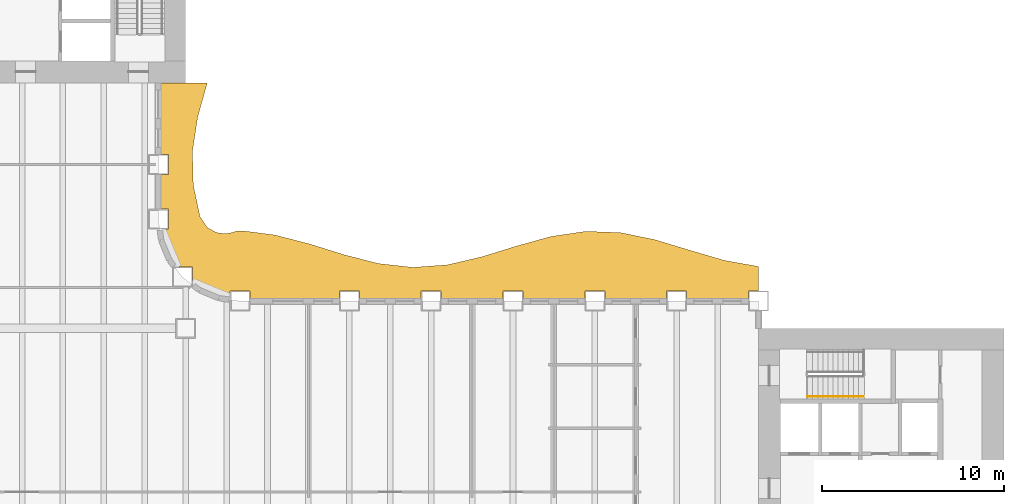
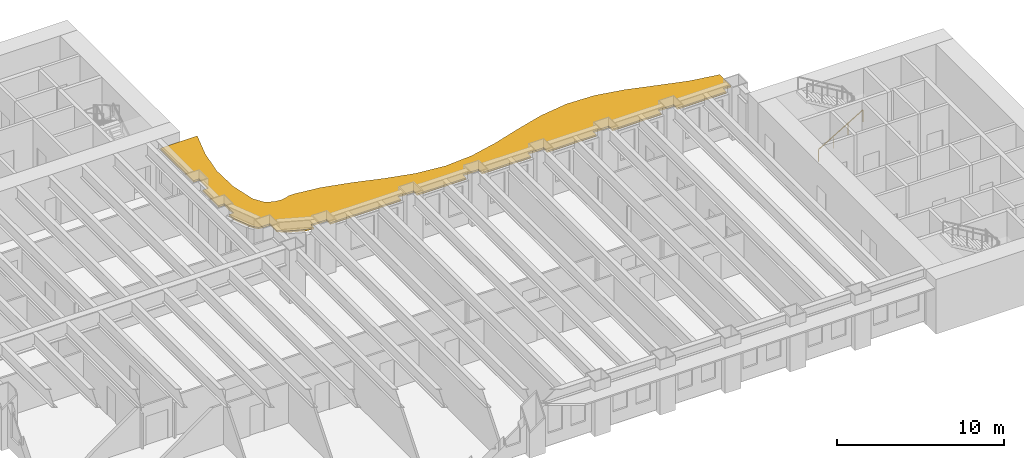
# One storey, part 14 of 16: 1 railing, 1 shading device.
"""IFC4 building model written with IfcOpenShell, lengths in metres."""

from ifc_helpers import new_model, si_unit, direction, frame, origin, origin_2d, place, context, subcontext, project, spatial, polyline, rectangle, outline, extrude, material, layer, layer_set, type_object, element, save


model = new_model("IFC4")

# Units and contexts
model_context = context("Model", 3, precision=1e-05, world=origin(), true_north=direction((0.0, 1.0)))
body_context = subcontext(model_context, "Body", "Model", "MODEL_VIEW")
ifc_project = project(units=[si_unit("LENGTHUNIT", "METRE"), si_unit("AREAUNIT", "SQUARE_METRE"), si_unit("VOLUMEUNIT", "CUBIC_METRE"), si_unit("PLANEANGLEUNIT", "RADIAN"), si_unit("MASSUNIT", "GRAM", prefix="KILO")], contexts=[model_context])

# Site, building, storey
site_placement = place(None, origin())
site = spatial("IfcSite", under=ifc_project, at=site_placement, CompositionType="ELEMENT")
building_placement = place(site_placement, origin())
building = spatial("IfcBuilding", under=site, at=building_placement, Name="Sennacour Bend Tower", CompositionType="ELEMENT")
storey_placement = place(building_placement, frame((0.0, 0.0, 45.0)))
storey = spatial("IfcBuildingStorey", under=building, at=storey_placement, Name="L09", CompositionType="ELEMENT", Elevation=45.0)

# Railing
ifc_material_1 = material(Name="Stainless steel", Category="steel")
railing_type = type_object("IfcRailingType", Name="RL-HANDRAIL-900", PredefinedType="HANDRAIL", material=ifc_material_1)
railing_placement = place(storey_placement, frame((56.699951171875, 18.75, 0.166748046875)))
element("IfcRailing", 1, at=railing_placement, inside=storey, type_object=railing_type, Name="L09 SA2 stair handrail 1", PredefinedType="HANDRAIL", context=body_context, shape_type="SweptSolid", body=[
    extrude(rectangle(XDim=0.048095703125, YDim=0.048095703125, at=origin_2d()), frame((0.0, 0.0, 0.8759765625), z_axis=(0.859308565015, 0.0, 0.511457515432), x_axis=(0.0, 1.0, 0.0)), (0.0, 0.0, 1.0), 3.58447265625),
    extrude(rectangle(XDim=0.0419921875, YDim=0.0419921875, at=origin_2d()), origin(), (0.0, 0.0, 1.0), 0.851806640625),
    extrude(rectangle(XDim=0.0419921875, YDim=0.0419921875, at=origin_2d()), frame((1.026611328125, 0.0, 0.611083984375)), (0.0, 0.0, 1.0), 0.851806640625),
    extrude(rectangle(XDim=0.0419921875, YDim=0.0419921875, at=origin_2d()), frame((2.053466796875, 0.0, 1.22216796875)), (0.0, 0.0, 1.0), 0.851806640625),
    extrude(rectangle(XDim=0.0419921875, YDim=0.0419921875, at=origin_2d()), frame((3.080078125, 0.0, 1.833251953125)), (0.0, 0.0, 1.0), 0.851806640625),
])

# Shading device
ifc_material_2 = material(Name="Bronze anodised aluminium", Category="aluminium")
ifc_layer = layer(ifc_material_2, 0.1201171875, Name="Bronze anodised aluminium", Category="aluminium")
ifc_layer_set = layer_set([ifc_layer], Name="Bronze anodised aluminium")
shading_device_type = type_object("IfcShadingDeviceType", Name="SUNSHADE BAND WAVE", PredefinedType="USERDEFINED", material=ifc_layer_set)
shading_device_placement = place(storey_placement, frame((0.0, 0.0, 3.02392578125)))
element("IfcShadingDevice", 2, at=shading_device_placement, inside=storey, type_object=shading_device_type, Name="Sunshade band L09 concave faces", ObjectType="SUNSHADE", PredefinedType="USERDEFINED", context=body_context, shape_type="SweptSolid", body=[
    extrude(outline(polyline([(53.449951171875, 24.14990234375), (50.050048828125, 24.14990234375), (50.050048828125, 24.550048828125), (48.949951171875, 24.550048828125), (48.949951171875, 24.14990234375), (45.550048828125, 24.14990234375), (45.550048828125, 24.550048828125), (44.449951171875, 24.550048828125), (44.449951171875, 24.14990234375), (41.050048828125, 24.14990234375), (41.050048828125, 24.550048828125), (39.949951171875, 24.550048828125), (39.949951171875, 24.14990234375), (36.550048828125, 24.14990234375), (36.550048828125, 24.550048828125), (35.449951171875, 24.550048828125), (35.449951171875, 24.14990234375), (32.050048828125, 24.14990234375), (32.050048828125, 24.550048828125), (30.949951171875, 24.550048828125), (30.949951171875, 24.14990234375), (26.050048828125, 24.14990234375), (26.050048828125, 24.550048828125), (24.949951171875, 24.550048828125), (24.949951171875, 24.2236328125), (24.37451171875, 24.299560546875), (23.32568359375, 24.73388671875), (22.8681640625, 25.0849609375), (22.8681640625, 25.8681640625), (22.0849609375, 25.8681640625), (21.73388671875, 26.32568359375), (21.299560546875, 27.37451171875), (21.2236328125, 27.949951171875), (21.550048828125, 27.949951171875), (21.550048828125, 29.050048828125), (21.14990234375, 29.050048828125), (21.14990234375, 30.949951171875), (21.550048828125, 30.949951171875), (21.550048828125, 32.050048828125), (21.14990234375, 32.050048828125), (21.14990234375, 36.0), (23.6884765625, 36.0), (23.1630859375, 34.125), (22.873779296875, 32.25), (22.920166015625, 30.375), (23.285888671875, 28.64990234375), (23.711181640625, 28.020751953125), (24.2197265625, 27.7607421875), (24.70458984375, 27.70458984375), (25.079833984375, 27.772216796875), (25.328125, 27.85888671875), (25.752197265625, 27.847900390625), (27.39990234375, 27.634033203125), (29.300048828125, 27.143798828125), (31.199951171875, 26.550048828125), (33.10009765625, 26.06201171875), (35.0, 25.851806640625), (36.89990234375, 25.99365234375), (38.800048828125, 26.4375), (40.699951171875, 27.02685546875), (42.60009765625, 27.5537109375), (44.5, 27.83251953125), (46.39990234375, 27.764892578125), (48.300048828125, 27.37451171875), (50.199951171875, 26.79931640625), (52.10009765625, 26.241943359375), (54.0, 25.89892578125), (54.0, 24.550048828125), (53.449951171875, 24.550048828125), (53.449951171875, 24.14990234375)])), origin(), (0.0, 0.0, 1.0), 0.1201171875),
])

save(model, "model.ifc")
